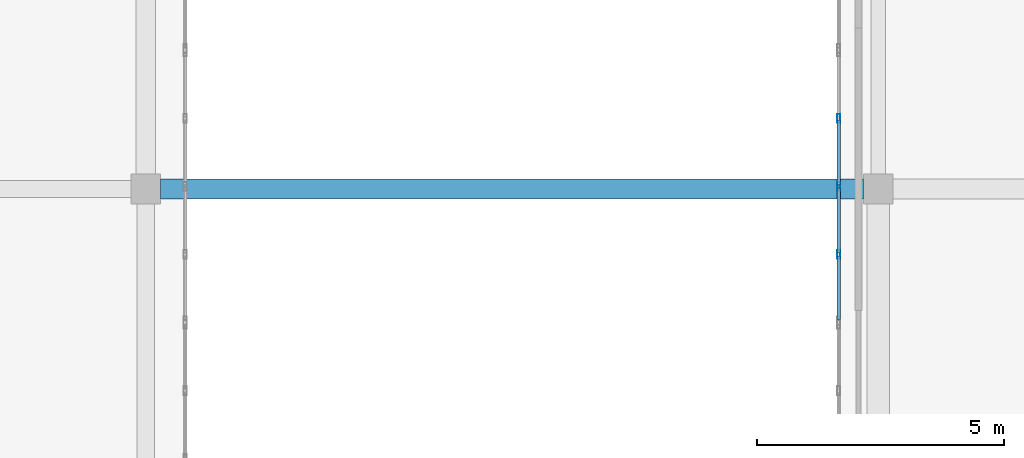
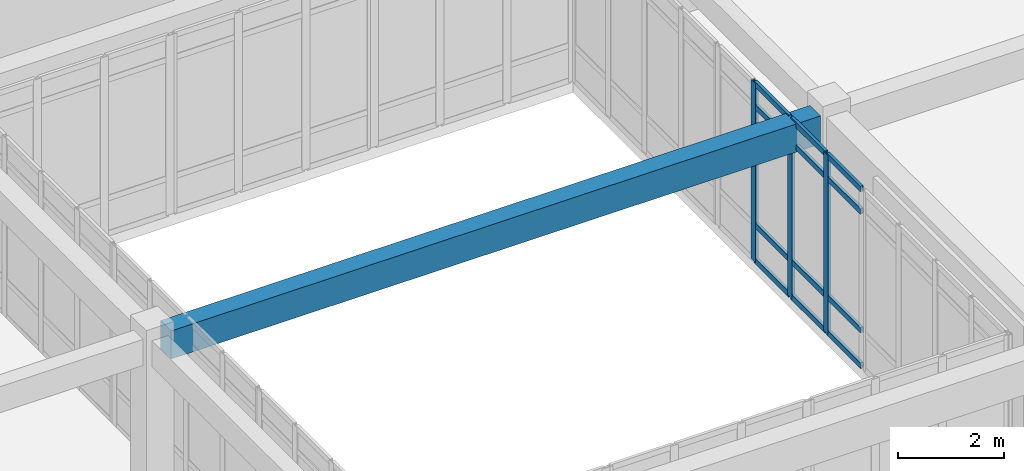
# One storey, part 75 of 142: 15 members, 1 beam, 1 element without a shape of its own.
"""IFC4 building model written with IfcOpenShell, lengths in metres."""

import ifcopenshell
import ifcopenshell.guid

model = None  # the IFC model being written
_history = None  # IfcOwnerHistory: only IFC2X3 demands one
_inside = {}  # id of a spatial element -> (the spatial element, [elements in it])
_under = {}  # id of a project, library or spatial element -> (it, [spatial elements below it])
_declared = {}  # id of a project -> (the project, [libraries it declares])
_typed = {}  # id of a type object -> (the type object, [elements of that type])
_made_of = {}  # id of a material, layer set ... -> (it, [elements and type objects made of it])


def new_model(schema):
    """Start an empty IFC model of exactly this schema.

    Asked for "IFC4X3", IfcOpenShell would pick the latest addendum, in which some entities
    have other attributes; the version numbers below select the first issue.
    IFC2X3 requires an IfcOwnerHistory on every rooted entity: one is made here for all.
    """
    global model, _history
    if schema == "IFC4X3":
        model = ifcopenshell.file(schema_version=(4, 3, 0, 0))
    else:
        model = ifcopenshell.file(schema=schema)
    _inside.clear()
    _under.clear()
    _declared.clear()
    _typed.clear()
    _made_of.clear()
    _history = None
    if model.schema == "IFC2X3":
        org = make("IfcOrganization", Name="unknown")
        user = make(
            "IfcPersonAndOrganization",
            ThePerson=make("IfcPerson", FamilyName="unknown"),
            TheOrganization=org,
        )
        app = make(
            "IfcApplication",
            ApplicationDeveloper=org,
            Version="unknown",
            ApplicationFullName="unknown",
            ApplicationIdentifier="unknown",
        )
        _history = make(
            "IfcOwnerHistory",
            OwningUser=user,
            OwningApplication=app,
            ChangeAction="ADDED",
            CreationDate=0,
        )
    return model


def make(cls, **values):
    """One entity of the class cls with the attributes given. An attribute that is None is left unset."""
    return model.create_entity(
        cls, **{name: value for name, value in values.items() if value is not None}
    )


def rooted(cls, **values):
    """An entity with a GlobalId (a new one), such as an element, a storey or a relation."""
    return make(cls, GlobalId=ifcopenshell.guid.new(), OwnerHistory=_history, **values)


def si_unit(unit_type, name, prefix=None):
    """IfcSIUnit, for example si_unit("LENGTHUNIT", "METRE", prefix="MILLI")."""
    return make("IfcSIUnit", UnitType=unit_type, Prefix=prefix, Name=name)


def assignment(units):
    """IfcUnitAssignment: the units of a project."""
    return None if units is None else make("IfcUnitAssignment", Units=units)


def point(xyz):
    """IfcCartesianPoint."""
    return None if xyz is None else make("IfcCartesianPoint", Coordinates=xyz)


def direction(xyz):
    """IfcDirection."""
    return None if xyz is None else make("IfcDirection", DirectionRatios=xyz)


def frame(location, z_axis=None, x_axis=None):
    """IfcAxis2Placement3D, a coordinate frame: its origin and axes. An axis left out is left unset."""
    return make(
        "IfcAxis2Placement3D",
        Location=point(location),
        Axis=direction(z_axis),
        RefDirection=direction(x_axis),
    )


def frame_2d(location, x_axis=None):
    """IfcAxis2Placement2D, a coordinate frame in the plane: its origin and x axis."""
    return make(
        "IfcAxis2Placement2D", Location=point(location), RefDirection=direction(x_axis)
    )


def origin():
    """The frame at (0, 0, 0) with its axes left unset."""
    return frame((0.0, 0.0, 0.0))


def origin_2d():
    """The frame at (0, 0) in the plane with its x axis left unset."""
    return frame_2d((0.0, 0.0))


def place(relative_to, where):
    """IfcLocalPlacement: puts the frame where relative to a parent placement (None: the world)."""
    return make(
        "IfcLocalPlacement", PlacementRelTo=relative_to, RelativePlacement=where
    )


def context(
    kind, dimensions, precision=None, world=None, true_north=None, identifier=None
):
    """IfcGeometricRepresentationContext, for example the 3D "Model" context."""
    return make(
        "IfcGeometricRepresentationContext",
        ContextIdentifier=identifier,
        ContextType=kind,
        CoordinateSpaceDimension=dimensions,
        Precision=precision,
        WorldCoordinateSystem=world,
        TrueNorth=true_north,
    )


def subcontext(parent, identifier, kind, view, scale=None):
    """IfcGeometricRepresentationSubContext, for example "Body" below "Model"."""
    return make(
        "IfcGeometricRepresentationSubContext",
        ContextIdentifier=identifier,
        ContextType=kind,
        ParentContext=parent,
        TargetScale=scale,
        TargetView=view,
    )


def project(units=None, contexts=None):
    """IfcProject with its units and contexts."""
    return rooted(
        "IfcProject",
        Name="project",
        RepresentationContexts=contexts,
        UnitsInContext=assignment(units),
    )


def spatial(cls, under=None, at=None, **own):
    """A site, building, storey or space (cls), placed at a placement, below another one or the project."""
    s = rooted(cls, ObjectPlacement=at, **own)
    if under is not None:
        _under.setdefault(under.id(), (under, []))[1].append(s)
    return s


def profile(cls, at=None, kind="AREA", **sizes):
    """A parametric profile (cls). Its sizes go by their IFC names, for example OverallWidth=200.0."""
    return make(cls, ProfileType=kind, Position=at, **sizes)


def rectangle(**sizes):
    """IfcRectangleProfileDef."""
    return profile("IfcRectangleProfileDef", **sizes)


def hollow_rectangle(**sizes):
    """IfcRectangleHollowProfileDef."""
    return profile("IfcRectangleHollowProfileDef", **sizes)


def extrude(swept, where, along, depth):
    """IfcExtrudedAreaSolid: the profile swept, set in the frame where, extruded along a direction by depth."""
    return make(
        "IfcExtrudedAreaSolid",
        SweptArea=swept,
        Position=where,
        ExtrudedDirection=direction(along),
        Depth=depth,
    )


def shape(context_of_items, identifier, shape_type, items):
    """IfcShapeRepresentation: the items that make up one representation, for example the "Body"."""
    return make(
        "IfcShapeRepresentation",
        ContextOfItems=context_of_items,
        RepresentationIdentifier=identifier,
        RepresentationType=shape_type,
        Items=items,
    )


def material(Name=None, Category=None):
    """IfcMaterial."""
    return make("IfcMaterial", Name=Name, Category=Category)


def layer(
    of_material, thickness, ventilated=None, Name=None, Category=None, Priority=None
):
    """IfcMaterialLayer: one layer of a wall or slab, of a material (None: an air gap)."""
    return make(
        "IfcMaterialLayer",
        Material=of_material,
        LayerThickness=thickness,
        IsVentilated=ventilated,
        Name=Name,
        Category=Category,
        Priority=Priority,
    )


def layer_set(layers, Name=None):
    """IfcMaterialLayerSet."""
    return make("IfcMaterialLayerSet", MaterialLayers=layers, LayerSetName=Name)


def material_profile(
    of_material, cross_section, Name=None, Category=None, Priority=None
):
    """IfcMaterialProfile: a cross section and its material."""
    return make(
        "IfcMaterialProfile",
        Name=Name,
        Material=of_material,
        Profile=cross_section,
        Priority=Priority,
        Category=Category,
    )


def profile_set(profiles, Name=None, composite=None):
    """IfcMaterialProfileSet."""
    return make(
        "IfcMaterialProfileSet",
        Name=Name,
        MaterialProfiles=profiles,
        CompositeProfile=composite,
    )


def made_of(thing, what):
    """Note that an element or type object is made of a material, layer set ...; save() writes the relation."""
    if what is not None:
        _made_of.setdefault(what.id(), (what, []))[1].append(thing)
    return thing


def type_object(cls, material=None, **own):
    """A type object (cls), such as IfcWallType, which elements share."""
    return made_of(rooted(cls, **own), material)


def element(
    cls,
    number,
    at=None,
    inside=None,
    cuts=None,
    type_object=None,
    material=None,
    context=None,
    identifier="Body",
    shape_type=None,
    held_by="IfcProductDefinitionShape",
    body=None,
    shapes=None,
    **own,
):
    """One element of the class cls, such as IfcWall. Its Tag is "e" and its number.

    at: its placement. inside: the storey or other place that contains it. cuts: it is an
    opening in that element (IfcRelVoidsElement). A single representation is given by context,
    identifier, shape_type and body (its items); several are given by shapes. held_by: the class
    of the entity that holds the representations. save() writes the other relations.
    """
    e = rooted(cls, Tag="e%d" % number, ObjectPlacement=at, **own)
    if body is not None:
        shapes = [shape(context, identifier, shape_type, body)]
    if shapes is not None:
        e.Representation = make(held_by, Representations=shapes)
    if inside is not None:
        _inside.setdefault(inside.id(), (inside, []))[1].append(e)
    if cuts is not None:
        rooted(
            "IfcRelVoidsElement", RelatingBuildingElement=cuts, RelatedOpeningElement=e
        )
    if type_object is not None:
        _typed.setdefault(type_object.id(), (type_object, []))[1].append(e)
    return made_of(e, material)


def aggregate(whole, parts):
    """IfcRelAggregates: a whole, such as a stair, and the parts it consists of."""
    return rooted("IfcRelAggregates", RelatingObject=whole, RelatedObjects=parts)


def save(model, path):
    """Write the relations noted so far, then the file.

    IfcRelAggregates (storeys below a building ...), IfcRelContainedInSpatialStructure (elements
    in a storey), IfcRelDefinesByType, IfcRelAssociatesMaterial and IfcRelDeclares: one each for
    every whole, place, type object, material and project.
    """
    for whole, parts in _under.values():
        aggregate(whole, parts)
    for where, things in _inside.values():
        rooted(
            "IfcRelContainedInSpatialStructure",
            RelatedElements=things,
            RelatingStructure=where,
        )
    for kind, things in _typed.values():
        rooted("IfcRelDefinesByType", RelatedObjects=things, RelatingType=kind)
    for what, things in _made_of.values():
        rooted("IfcRelAssociatesMaterial", RelatedObjects=things, RelatingMaterial=what)
    for by, libraries in _declared.values():
        rooted("IfcRelDeclares", RelatingContext=by, RelatedDefinitions=libraries)
    model.write(path)


model = new_model("IFC4")

# Units and contexts
model_context = context("Model", 3, precision=1e-05, world=origin(), true_north=direction((0.0, 1.0)))
body_context = subcontext(model_context, "Body", "Model", "MODEL_VIEW")
ifc_project = project(units=[si_unit("LENGTHUNIT", "METRE"), si_unit("AREAUNIT", "SQUARE_METRE"), si_unit("VOLUMEUNIT", "CUBIC_METRE"), si_unit("PLANEANGLEUNIT", "RADIAN"), si_unit("MASSUNIT", "GRAM", prefix="KILO")], contexts=[model_context])

# Site, building, storey
site_placement = place(None, origin())
site = spatial("IfcSite", under=ifc_project, at=site_placement, CompositionType="ELEMENT")
building_placement = place(site_placement, origin())
building = spatial("IfcBuilding", under=site, at=building_placement, Name="Valcora Specialist Clinic", CompositionType="ELEMENT")
storey_placement = place(building_placement, frame((0.0, 0.0, 5.10009765625)))
storey = spatial("IfcBuildingStorey", under=building, at=storey_placement, Name="L01", CompositionType="ELEMENT", Elevation=5.10009765625)

# Beam
ifc_material_1 = material(Name="Concrete C40/50", Category="concrete")
ifc_material_profile_1 = material_profile(ifc_material_1, rectangle(XDim=0.39990234375, YDim=0.64990234375, at=origin_2d()), Name="RC-BM-400X650")
ifc_profile_set_1 = profile_set([ifc_material_profile_1], Name="Concrete C40/50")
beam_type = type_object("IfcBeamType", Name="TY-BM-RC400X650", PredefinedType="BEAM", material=ifc_profile_set_1)
beam_placement = place(storey_placement, frame((76.300048828125, 90.199951171875, 3.81982421875), z_axis=(1.0, 0.0, 0.0), x_axis=(0.0, 1.0, 0.0)))
element("IfcBeam", 1, at=beam_placement, inside=storey, type_object=beam_type, Name="Beam BM-L01-0633", PredefinedType="BEAM", context=body_context, shape_type="SweptSolid", body=[
    extrude(rectangle(XDim=0.39990234375, YDim=0.64990234375, at=origin_2d()), origin(), (0.0, 0.0, 1.0), 14.199951171875),
])

# Curtain wall, members
ifc_material_2 = material(Name="Anodized Bronze Aluminium 6063-T6", Category="aluminium")
ifc_layer = layer(ifc_material_2, 0.175048828125)
ifc_layer_set = layer_set([ifc_layer], Name="Anodized Bronze Aluminium 6063-T6")
curtain_wall_type = type_object("IfcCurtainWallType", Name="TY-CW-CRT15", PredefinedType="NOTDEFINED", material=ifc_layer_set)
curtain_wall_placement = place(storey_placement, origin())
curtain_wall = element("IfcCurtainWall", 2, at=curtain_wall_placement, inside=storey, type_object=curtain_wall_type, Name="Curtain wall CW-L01-065", PredefinedType="NOTDEFINED")
ifc_material_profile_2 = material_profile(ifc_material_2, hollow_rectangle(XDim=0.06494140625, YDim=0.175048828125, WallThickness=0.00390625, at=origin_2d()), Name="AL-MUL-65X175")
ifc_profile_set_2 = profile_set([ifc_material_profile_2], Name="Anodized Bronze Aluminium 6063-T6")
member_type_1 = type_object("IfcMemberType", Name="TY-CWM-65X175", PredefinedType="MULLION", material=ifc_profile_set_2)
member_1_placement = place(storey_placement, frame((90.0, 88.875, 0.0), z_axis=(0.0, 0.0, 1.0), x_axis=(-1.0, 0.0, 0.0)))
member_1 = element("IfcMember", 3, at=member_1_placement, type_object=member_type_1, Name="CW-CRT-15 mullion 2", PredefinedType="MULLION", context=body_context, shape_type="SweptSolid", body=[
    extrude(hollow_rectangle(XDim=0.06494140625, YDim=0.175048828125, WallThickness=0.00390625, at=origin_2d()), origin(), (0.0, 0.0, 1.0), 4.14501953125),
])
member_2_placement = place(storey_placement, frame((90.0, 90.25, 0.0), z_axis=(0.0, 0.0, 1.0), x_axis=(-1.0, 0.0, 0.0)))
member_2 = element("IfcMember", 4, at=member_2_placement, type_object=member_type_1, Name="CW-CRT-15 mullion 3", PredefinedType="MULLION", context=body_context, shape_type="SweptSolid", body=[
    extrude(hollow_rectangle(XDim=0.06494140625, YDim=0.175048828125, WallThickness=0.00390625, at=origin_2d()), origin(), (0.0, 0.0, 1.0), 4.14501953125),
])
member_3_placement = place(storey_placement, frame((90.0, 91.625, 0.0), z_axis=(0.0, 0.0, 1.0), x_axis=(-1.0, 0.0, 0.0)))
member_3 = element("IfcMember", 5, at=member_3_placement, type_object=member_type_1, Name="CW-CRT-15 mullion 4", PredefinedType="MULLION", context=body_context, shape_type="SweptSolid", body=[
    extrude(hollow_rectangle(XDim=0.06494140625, YDim=0.175048828125, WallThickness=0.00390625, at=origin_2d()), origin(), (0.0, 0.0, 1.0), 4.14501953125),
])
ifc_material_profile_3 = material_profile(ifc_material_2, hollow_rectangle(XDim=0.06494140625, YDim=0.1298828125, WallThickness=0.00390625, at=origin_2d()), Name="AL-TRN-65X130")
ifc_profile_set_3 = profile_set([ifc_material_profile_3], Name="Anodized Bronze Aluminium 6063-T6")
member_type_2 = type_object("IfcMemberType", Name="TY-CWT-65X130", PredefinedType="USERDEFINED", material=ifc_profile_set_3)
member_4_placement = place(storey_placement, frame((90.0, 87.56494140625, 0.032470703125), z_axis=(0.0, 1.0, 0.0), x_axis=(-1.0, 0.0, 0.0)))
member_4 = element("IfcMember", 6, at=member_4_placement, type_object=member_type_2, Name="CW-CRT-15 transom 1.1", ObjectType="TRANSOM", PredefinedType="USERDEFINED", context=body_context, shape_type="SweptSolid", body=[
    extrude(hollow_rectangle(XDim=0.06494140625, YDim=0.1298828125, WallThickness=0.00390625, at=origin_2d()), origin(), (0.0, 0.0, 1.0), 1.277587890625),
])
member_5_placement = place(storey_placement, frame((90.0, 87.56494140625, 0.849853515625), z_axis=(0.0, 1.0, 0.0), x_axis=(-1.0, 0.0, 0.0)))
member_5 = element("IfcMember", 7, at=member_5_placement, type_object=member_type_2, Name="CW-CRT-15 transom 1.2", ObjectType="TRANSOM", PredefinedType="USERDEFINED", context=body_context, shape_type="SweptSolid", body=[
    extrude(hollow_rectangle(XDim=0.06494140625, YDim=0.1298828125, WallThickness=0.00390625, at=origin_2d()), origin(), (0.0, 0.0, 1.0), 1.277587890625),
])
member_6_placement = place(storey_placement, frame((90.0, 87.56494140625, 3.594970703125), z_axis=(0.0, 1.0, 0.0), x_axis=(-1.0, 0.0, 0.0)))
member_6 = element("IfcMember", 8, at=member_6_placement, type_object=member_type_2, Name="CW-CRT-15 transom 1.3", ObjectType="TRANSOM", PredefinedType="USERDEFINED", context=body_context, shape_type="SweptSolid", body=[
    extrude(hollow_rectangle(XDim=0.06494140625, YDim=0.1298828125, WallThickness=0.00390625, at=origin_2d()), origin(), (0.0, 0.0, 1.0), 1.277587890625),
])
member_7_placement = place(storey_placement, frame((90.0, 87.56494140625, 4.1123046875), z_axis=(0.0, 1.0, 0.0), x_axis=(-1.0, 0.0, 0.0)))
member_7 = element("IfcMember", 9, at=member_7_placement, type_object=member_type_2, Name="CW-CRT-15 transom 1.4", ObjectType="TRANSOM", PredefinedType="USERDEFINED", context=body_context, shape_type="SweptSolid", body=[
    extrude(hollow_rectangle(XDim=0.06494140625, YDim=0.1298828125, WallThickness=0.00390625, at=origin_2d()), origin(), (0.0, 0.0, 1.0), 1.277587890625),
])
member_8_placement = place(storey_placement, frame((90.0, 88.907470703125, 0.032470703125), z_axis=(0.0, 1.0, 0.0), x_axis=(-1.0, 0.0, 0.0)))
member_8 = element("IfcMember", 10, at=member_8_placement, type_object=member_type_2, Name="CW-CRT-15 transom 2.1", ObjectType="TRANSOM", PredefinedType="USERDEFINED", context=body_context, shape_type="SweptSolid", body=[
    extrude(hollow_rectangle(XDim=0.06494140625, YDim=0.1298828125, WallThickness=0.00390625, at=origin_2d()), origin(), (0.0, 0.0, 1.0), 1.31005859375),
])
member_9_placement = place(storey_placement, frame((90.0, 88.907470703125, 0.849853515625), z_axis=(0.0, 1.0, 0.0), x_axis=(-1.0, 0.0, 0.0)))
member_9 = element("IfcMember", 11, at=member_9_placement, type_object=member_type_2, Name="CW-CRT-15 transom 2.2", ObjectType="TRANSOM", PredefinedType="USERDEFINED", context=body_context, shape_type="SweptSolid", body=[
    extrude(hollow_rectangle(XDim=0.06494140625, YDim=0.1298828125, WallThickness=0.00390625, at=origin_2d()), origin(), (0.0, 0.0, 1.0), 1.31005859375),
])
member_10_placement = place(storey_placement, frame((90.0, 88.907470703125, 3.594970703125), z_axis=(0.0, 1.0, 0.0), x_axis=(-1.0, 0.0, 0.0)))
member_10 = element("IfcMember", 12, at=member_10_placement, type_object=member_type_2, Name="CW-CRT-15 transom 2.3", ObjectType="TRANSOM", PredefinedType="USERDEFINED", context=body_context, shape_type="SweptSolid", body=[
    extrude(hollow_rectangle(XDim=0.06494140625, YDim=0.1298828125, WallThickness=0.00390625, at=origin_2d()), origin(), (0.0, 0.0, 1.0), 1.31005859375),
])
member_11_placement = place(storey_placement, frame((90.0, 88.907470703125, 4.1123046875), z_axis=(0.0, 1.0, 0.0), x_axis=(-1.0, 0.0, 0.0)))
member_11 = element("IfcMember", 13, at=member_11_placement, type_object=member_type_2, Name="CW-CRT-15 transom 2.4", ObjectType="TRANSOM", PredefinedType="USERDEFINED", context=body_context, shape_type="SweptSolid", body=[
    extrude(hollow_rectangle(XDim=0.06494140625, YDim=0.1298828125, WallThickness=0.00390625, at=origin_2d()), origin(), (0.0, 0.0, 1.0), 1.31005859375),
])
member_12_placement = place(storey_placement, frame((90.0, 90.282470703125, 0.032470703125), z_axis=(0.0, 1.0, 0.0), x_axis=(-1.0, 0.0, 0.0)))
member_12 = element("IfcMember", 14, at=member_12_placement, type_object=member_type_2, Name="CW-CRT-15 transom 3.1", ObjectType="TRANSOM", PredefinedType="USERDEFINED", context=body_context, shape_type="SweptSolid", body=[
    extrude(hollow_rectangle(XDim=0.06494140625, YDim=0.1298828125, WallThickness=0.00390625, at=origin_2d()), origin(), (0.0, 0.0, 1.0), 1.31005859375),
])
member_13_placement = place(storey_placement, frame((90.0, 90.282470703125, 0.849853515625), z_axis=(0.0, 1.0, 0.0), x_axis=(-1.0, 0.0, 0.0)))
member_13 = element("IfcMember", 15, at=member_13_placement, type_object=member_type_2, Name="CW-CRT-15 transom 3.2", ObjectType="TRANSOM", PredefinedType="USERDEFINED", context=body_context, shape_type="SweptSolid", body=[
    extrude(hollow_rectangle(XDim=0.06494140625, YDim=0.1298828125, WallThickness=0.00390625, at=origin_2d()), origin(), (0.0, 0.0, 1.0), 1.31005859375),
])
member_14_placement = place(storey_placement, frame((90.0, 90.282470703125, 3.594970703125), z_axis=(0.0, 1.0, 0.0), x_axis=(-1.0, 0.0, 0.0)))
member_14 = element("IfcMember", 16, at=member_14_placement, type_object=member_type_2, Name="CW-CRT-15 transom 3.3", ObjectType="TRANSOM", PredefinedType="USERDEFINED", context=body_context, shape_type="SweptSolid", body=[
    extrude(hollow_rectangle(XDim=0.06494140625, YDim=0.1298828125, WallThickness=0.00390625, at=origin_2d()), origin(), (0.0, 0.0, 1.0), 1.31005859375),
])
member_15_placement = place(storey_placement, frame((90.0, 90.282470703125, 4.1123046875), z_axis=(0.0, 1.0, 0.0), x_axis=(-1.0, 0.0, 0.0)))
member_15 = element("IfcMember", 17, at=member_15_placement, type_object=member_type_2, Name="CW-CRT-15 transom 3.4", ObjectType="TRANSOM", PredefinedType="USERDEFINED", context=body_context, shape_type="SweptSolid", body=[
    extrude(hollow_rectangle(XDim=0.06494140625, YDim=0.1298828125, WallThickness=0.00390625, at=origin_2d()), origin(), (0.0, 0.0, 1.0), 1.31005859375),
])
aggregate(curtain_wall, [member_1, member_2, member_3, member_4, member_5, member_6, member_7, member_8, member_9, member_10, member_11, member_12, member_13, member_14, member_15])

save(model, "model.ifc")
